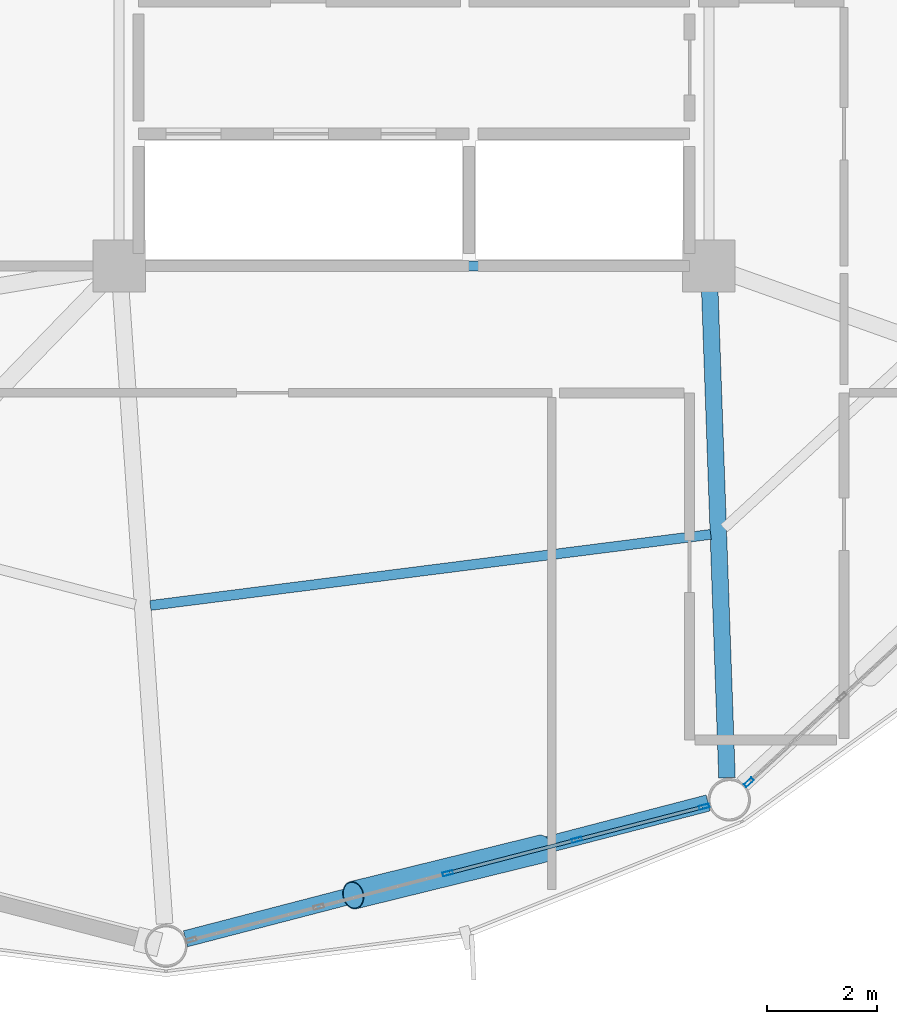
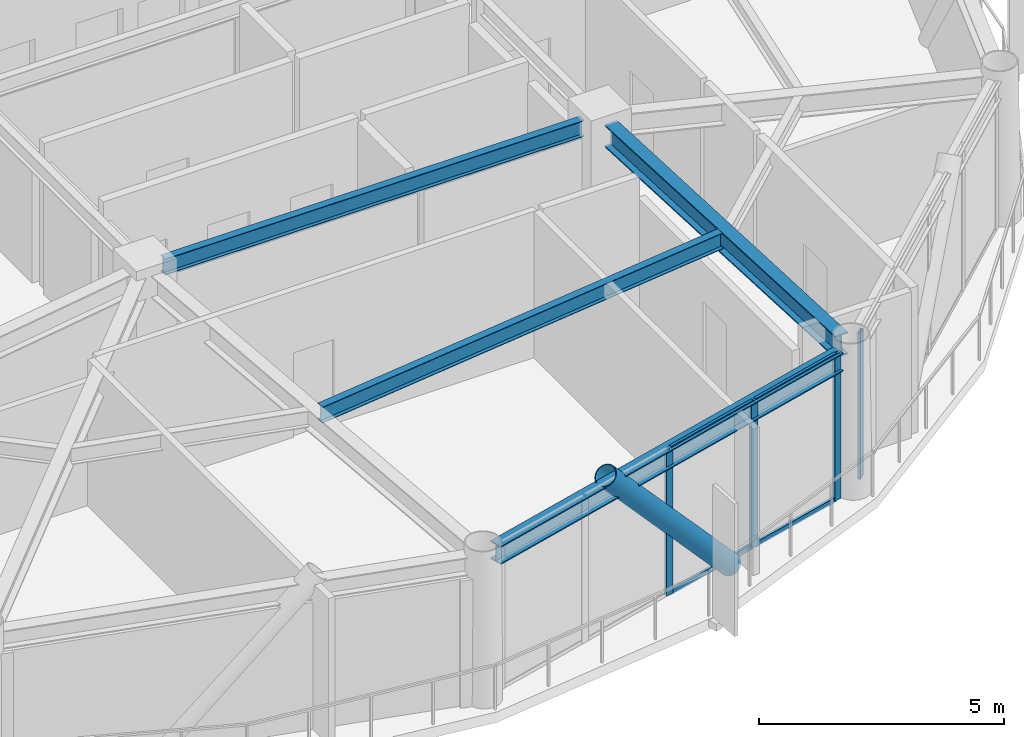
# One storey, part 8 of 24: 9 members, 4 beams, 2 elements without a shape of their own.
"""IFC4 building model written with IfcOpenShell, lengths in metres."""

from ifc_helpers import new_model, si_unit, direction, frame, origin, origin_2d, place, context, subcontext, project, spatial, hollow_rectangle, hollow_circle, i_section, extrude, material, layer, layer_set, material_profile, profile_set, type_object, element, aggregate, save


model = new_model("IFC4")

# Units and contexts
model_context = context("Model", 3, precision=1e-05, world=origin(), true_north=direction((0.0, 1.0)))
body_context = subcontext(model_context, "Body", "Model", "MODEL_VIEW")
ifc_project = project(units=[si_unit("LENGTHUNIT", "METRE"), si_unit("AREAUNIT", "SQUARE_METRE"), si_unit("VOLUMEUNIT", "CUBIC_METRE"), si_unit("PLANEANGLEUNIT", "RADIAN"), si_unit("MASSUNIT", "GRAM", prefix="KILO")], contexts=[model_context])

# Site, building, storey
site_placement = place(None, origin())
site = spatial("IfcSite", under=ifc_project, at=site_placement, CompositionType="ELEMENT")
building_placement = place(site_placement, origin())
building = spatial("IfcBuilding", under=site, at=building_placement, Name="Varnakorn Sky Granary", CompositionType="ELEMENT")
storey_placement = place(building_placement, frame((0.0, 0.0, 161.699951171875)))
storey = spatial("IfcBuildingStorey", under=building, at=storey_placement, Name="L40", CompositionType="ELEMENT", Elevation=161.699951171875)

# Beams
ifc_material_1 = material(Name="Steel S355JR", Category="steel")
ifc_material_profile_1 = material_profile(ifc_material_1, i_section(OverallWidth=0.300048828125, OverallDepth=0.550048828125, WebThickness=0.014892578125, FlangeThickness=0.029052734375, at=origin_2d()), Name="HE 550 B")
ifc_profile_set_1 = profile_set([ifc_material_profile_1], Name="Steel S355JR")
beam_type_1 = type_object("IfcBeamType", Name="BM-RAD-Z3", PredefinedType="BEAM", material=ifc_profile_set_1)
beam_1_placement = place(storey_placement, frame((8.36474609375, -7.019775390625, 3.364990234375), z_axis=(0.035317438194, -0.999376144682, 0.0), x_axis=(0.999376144682, 0.035317438194, 0.0)))
element("IfcBeam", 1, at=beam_1_placement, inside=storey, type_object=beam_type_1, Name="Radial Floor Girder RG11 L40", PredefinedType="BEAM", context=body_context, shape_type="SweptSolid", body=[
    extrude(i_section(OverallWidth=0.300048828125, OverallDepth=0.550048828125, WebThickness=0.014892578125, FlangeThickness=0.029052734375, at=origin_2d()), origin(), (0.0, 0.0, 1.0), 8.869140625),
])
ifc_material_profile_2 = material_profile(ifc_material_1, i_section(OverallWidth=0.179931640625, OverallDepth=0.39990234375, WebThickness=0.008544921875, FlangeThickness=0.013427734375, at=origin_2d()), Name="IPE 400")
ifc_profile_set_2 = profile_set([ifc_material_profile_2], Name="Steel S355JR")
beam_type_2 = type_object("IfcBeamType", Name="BM-SEC-Z3", PredefinedType="BEAM", material=ifc_profile_set_2)
beam_2_placement = place(storey_placement, frame((-1.7841796875, -12.75830078125, 3.43994140625), z_axis=(0.992057528495, 0.125784975877, 0.0), x_axis=(-0.125784975877, 0.992057528495, 0.0)))
element("IfcBeam", 2, at=beam_2_placement, inside=storey, type_object=beam_type_2, Name="Secondary Floor Chord Beam MSB10 L40", PredefinedType="BEAM", context=body_context, shape_type="SweptSolid", body=[
    extrude(i_section(OverallWidth=0.179931640625, OverallDepth=0.39990234375, WebThickness=0.008544921875, FlangeThickness=0.013427734375, at=origin_2d()), origin(), (0.0, 0.0, 1.0), 10.248046875),
])
beam_3_placement = place(storey_placement, frame((-1.929931640625, -6.60009765625, 3.43994140625), z_axis=(1.0, 0.0, 0.0), x_axis=(0.0, 1.0, 0.0)))
element("IfcBeam", 3, at=beam_3_placement, inside=storey, type_object=beam_type_2, Name="Core Spine Framing Beam 6 L40", PredefinedType="BEAM", context=body_context, shape_type="SweptSolid", body=[
    extrude(i_section(OverallWidth=0.179931640625, OverallDepth=0.39990234375, WebThickness=0.008544921875, FlangeThickness=0.013427734375, at=origin_2d()), origin(), (0.0, 0.0, 1.0), 9.85986328125),
])
ifc_material_profile_3 = material_profile(ifc_material_1, i_section(OverallWidth=0.300048828125, OverallDepth=0.449951171875, WebThickness=0.013916015625, FlangeThickness=0.02587890625, at=origin_2d()), Name="HE 450 B")
ifc_profile_set_3 = profile_set([ifc_material_profile_3], Name="Steel S355JR")
beam_type_3 = type_object("IfcBeamType", Name="BM-SPD-Z3", PredefinedType="SPANDREL", material=ifc_profile_set_3)
beam_4_placement = place(storey_placement, frame((-1.145751953125, -18.805908203125, 3.4150390625), z_axis=(0.967844713662, 0.251548425232, 0.0), x_axis=(-0.251548425232, 0.967844713662, 0.0)))
element("IfcBeam", 4, at=beam_4_placement, inside=storey, type_object=beam_type_3, Name="Perimeter Spandrel Ring Beam RB10 L40", PredefinedType="SPANDREL", context=body_context, shape_type="SweptSolid", body=[
    extrude(i_section(OverallWidth=0.300048828125, OverallDepth=0.449951171875, WebThickness=0.013916015625, FlangeThickness=0.02587890625, at=origin_2d()), origin(), (0.0, 0.0, 1.0), 9.797607421875),
])

# Curtain wall, members
ifc_material_2 = material(Name="Anodised Bronze Aluminium Alloy 6063-T6", Category="aluminium")
ifc_layer = layer(ifc_material_2, 0.179931640625, Name="Anodised Bronze Aluminium Alloy 6063-T6")
ifc_layer_set = layer_set([ifc_layer], Name="Anodised Bronze Aluminium Alloy 6063-T6")
curtain_wall_type = type_object("IfcCurtainWallType", Name="CW-FRM-2", PredefinedType="USERDEFINED", material=ifc_layer_set)
curtain_wall_1_placement = place(storey_placement, origin())
curtain_wall_1 = element("IfcCurtainWall", 5, at=curtain_wall_1_placement, inside=storey, type_object=curtain_wall_type, Name="Unitised Curtain Wall CW4 CW-L40-B10", ObjectType="CURTAIN WALL", PredefinedType="USERDEFINED")
ifc_material_profile_4 = material_profile(ifc_material_2, hollow_rectangle(XDim=0.070068359375, YDim=0.18505859375, WallThickness=0.00390625, at=origin_2d()), Name="ALU MULL 70x185")
ifc_profile_set_4 = profile_set([ifc_material_profile_4], Name="Anodised Bronze Aluminium Alloy 6063-T6")
member_type_1 = type_object("IfcMemberType", Name="CW-FRM-2-MULL", PredefinedType="MULLION", material=ifc_profile_set_4)
member_1_placement = place(storey_placement, frame((8.263427734375, -16.409423828125, 0.0), z_axis=(0.0, 0.0, 1.0), x_axis=(0.251362548835, -0.967893004956, 0.0)))
member_1 = element("IfcMember", 6, at=member_1_placement, type_object=member_type_1, Name="CW4 mullion 1", PredefinedType="MULLION", context=body_context, shape_type="SweptSolid", body=[
    extrude(hollow_rectangle(XDim=0.070068359375, YDim=0.18505859375, WallThickness=0.00390625, at=origin_2d()), origin(), (0.0, 0.0, 1.0), 3.64013671875),
])
member_2_placement = place(storey_placement, frame((5.95458984375, -17.009033203125, 0.0), z_axis=(0.0, 0.0, 1.0), x_axis=(0.251362548835, -0.967893004956, 0.0)))
member_2 = element("IfcMember", 7, at=member_2_placement, type_object=member_type_1, Name="CW4 mullion 2", PredefinedType="MULLION", context=body_context, shape_type="SweptSolid", body=[
    extrude(hollow_rectangle(XDim=0.070068359375, YDim=0.18505859375, WallThickness=0.00390625, at=origin_2d()), origin(), (0.0, 0.0, 1.0), 3.64013671875),
])
member_3_placement = place(storey_placement, frame((3.612060546875, -17.617431640625, 0.0), z_axis=(0.0, 0.0, 1.0), x_axis=(0.251362548835, -0.967893004956, 0.0)))
member_3 = element("IfcMember", 8, at=member_3_placement, type_object=member_type_1, Name="CW4 mullion 3", PredefinedType="MULLION", context=body_context, shape_type="SweptSolid", body=[
    extrude(hollow_rectangle(XDim=0.070068359375, YDim=0.18505859375, WallThickness=0.00390625, at=origin_2d()), origin(), (0.0, 0.0, 1.0), 3.64013671875),
])

# Curtain wall, member
curtain_wall_2_placement = place(storey_placement, origin())
curtain_wall_2 = element("IfcCurtainWall", 9, at=curtain_wall_2_placement, inside=storey, type_object=curtain_wall_type, Name="Unitised Curtain Wall CW4 CW-L40-B11", ObjectType="CURTAIN WALL", PredefinedType="USERDEFINED")
member_4_placement = place(storey_placement, frame((9.074462890625, -15.967529296875, 0.0), z_axis=(0.0, 0.0, 1.0), x_axis=(0.677011277308, -0.735972642425, 0.0)))
member_4 = element("IfcMember", 10, at=member_4_placement, type_object=member_type_1, Name="CW4 mullion 5", PredefinedType="MULLION", context=body_context, shape_type="SweptSolid", body=[
    extrude(hollow_rectangle(XDim=0.070068359375, YDim=0.18505859375, WallThickness=0.00390625, at=origin_2d()), origin(), (0.0, 0.0, 1.0), 3.64013671875),
])
aggregate(curtain_wall_2, [member_4])

# Member
ifc_material_profile_5 = material_profile(ifc_material_2, hollow_rectangle(XDim=0.06494140625, YDim=0.1201171875, WallThickness=0.00341796875, at=origin_2d()), Name="ALU TRAN 65x120")
ifc_profile_set_5 = profile_set([ifc_material_profile_5], Name="Anodised Bronze Aluminium Alloy 6063-T6")
member_type_2 = type_object("IfcMemberType", Name="CW-FRM-2-TRAN", PredefinedType="USERDEFINED", material=ifc_profile_set_5)
member_5_placement = place(storey_placement, frame((8.2294921875, -16.418212890625, 0.032470703125), z_axis=(-0.967887701378, -0.251382969832, 0.0), x_axis=(0.251382969832, -0.967887701378, 0.0)))
member_5 = element("IfcMember", 11, at=member_5_placement, type_object=member_type_2, Name="CW4 transom 1.1", ObjectType="TRANSOM", PredefinedType="USERDEFINED", context=body_context, shape_type="SweptSolid", body=[
    extrude(hollow_rectangle(XDim=0.06494140625, YDim=0.1201171875, WallThickness=0.00341796875, at=origin_2d()), origin(), (0.0, 0.0, 1.0), 2.3154296875),
])

member_6_placement = place(storey_placement, frame((8.2294921875, -16.418212890625, 3.607666015625), z_axis=(-0.967887701378, -0.251382969832, 0.0), x_axis=(0.251382969832, -0.967887701378, 0.0)))
member_6 = element("IfcMember", 12, at=member_6_placement, type_object=member_type_2, Name="CW4 transom 1.2", ObjectType="TRANSOM", PredefinedType="USERDEFINED", context=body_context, shape_type="SweptSolid", body=[
    extrude(hollow_rectangle(XDim=0.06494140625, YDim=0.1201171875, WallThickness=0.00341796875, at=origin_2d()), origin(), (0.0, 0.0, 1.0), 2.3154296875),
])

member_7_placement = place(storey_placement, frame((5.920654296875, -17.017822265625, 0.032470703125), z_axis=(-0.967883702921, -0.251398364395, 0.0), x_axis=(0.251398364395, -0.967883702921, 0.0)))
member_7 = element("IfcMember", 13, at=member_7_placement, type_object=member_type_2, Name="CW4 transom 2.1", ObjectType="TRANSOM", PredefinedType="USERDEFINED", context=body_context, shape_type="SweptSolid", body=[
    extrude(hollow_rectangle(XDim=0.06494140625, YDim=0.1201171875, WallThickness=0.00341796875, at=origin_2d()), origin(), (0.0, 0.0, 1.0), 2.35009765625),
])

member_8_placement = place(storey_placement, frame((5.920654296875, -17.017822265625, 3.607666015625), z_axis=(-0.967883702921, -0.251398364395, 0.0), x_axis=(0.251398364395, -0.967883702921, 0.0)))
member_8 = element("IfcMember", 14, at=member_8_placement, type_object=member_type_2, Name="CW4 transom 2.2", ObjectType="TRANSOM", PredefinedType="USERDEFINED", context=body_context, shape_type="SweptSolid", body=[
    extrude(hollow_rectangle(XDim=0.06494140625, YDim=0.1201171875, WallThickness=0.00341796875, at=origin_2d()), origin(), (0.0, 0.0, 1.0), 2.35009765625),
])

aggregate(curtain_wall_1, [member_1, member_2, member_3, member_5, member_6, member_7, member_8])

ifc_material_3 = material(Name="Steel S460M", Category="steel")
ifc_material_profile_6 = material_profile(ifc_material_3, hollow_circle(Radius=0.25390625, WallThickness=0.01806640625, at=origin_2d()), Name="CHS 508x18")
ifc_profile_set_6 = profile_set([ifc_material_profile_6], Name="Steel S460M")
member_type_3 = type_object("IfcMemberType", Name="MB-DIAG-T2", PredefinedType="BRACE", material=ifc_profile_set_6)
member_9_placement = place(storey_placement, frame((5.31591796875, -17.1748046875, -0.1298828125), z_axis=(-0.648893710655, -0.159489585267, 0.743975822499), x_axis=(0.238683066588, -0.971097520192, 0.0)))
element("IfcMember", 15, at=member_9_placement, inside=storey, type_object=member_type_3, Name="Perimeter CHS Diagrid Brace DG10 L40", PredefinedType="BRACE", context=body_context, shape_type="SweptSolid", body=[
    extrude(hollow_circle(Radius=0.25390625, WallThickness=0.01806640625, at=origin_2d()), origin(), (0.0, 0.0, 1.0), 5.268798828125),
])

save(model, "model.ifc")
